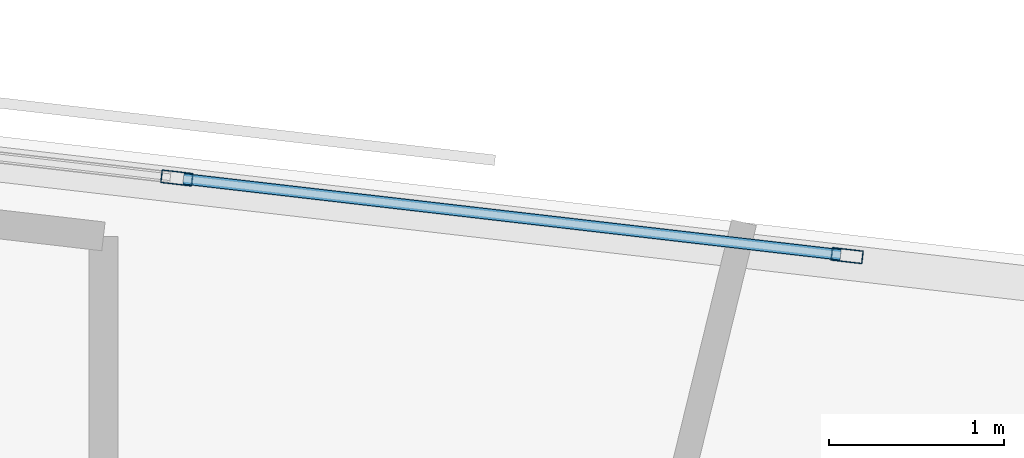
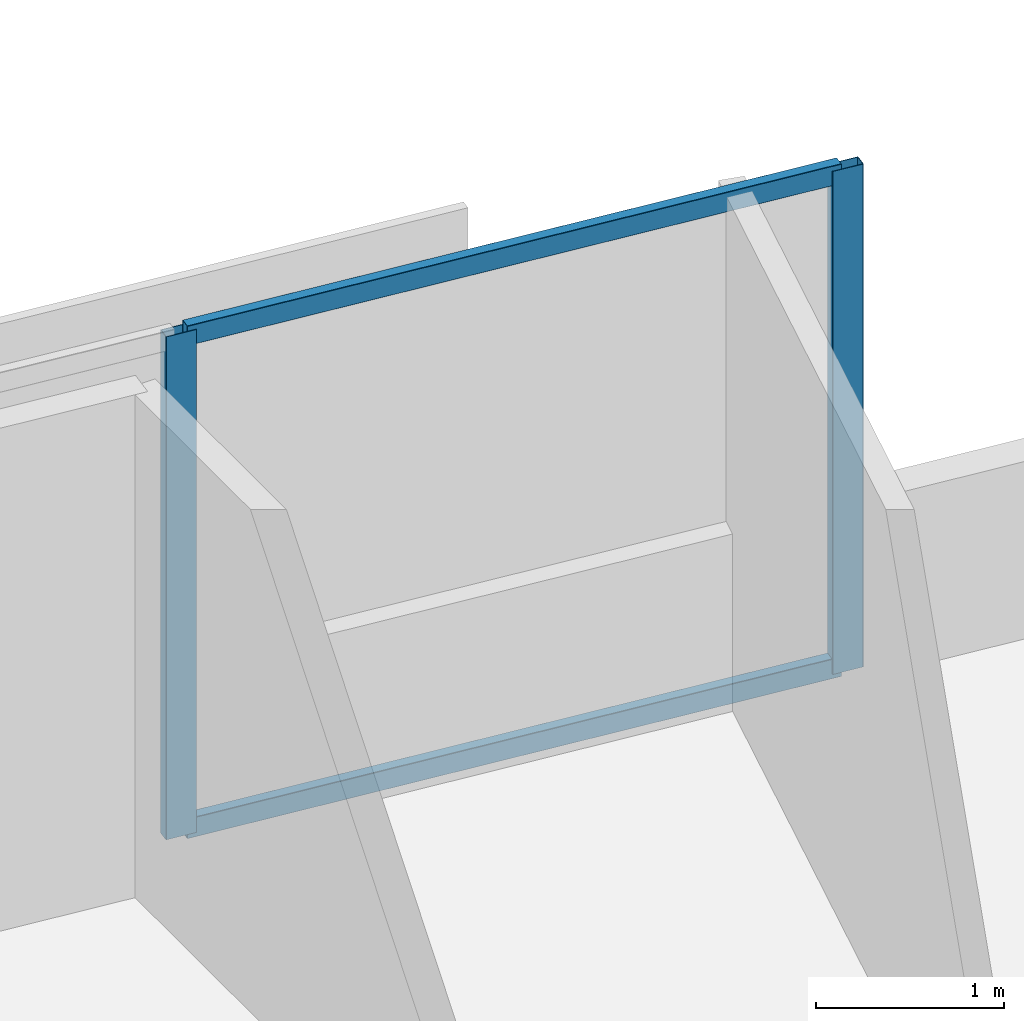
# One storey, part 2 of 14: 4 members, 1 element without a shape of its own.
"""IFC4 building model written with IfcOpenShell, lengths in metres."""

from ifc_helpers import new_model, si_unit, direction, frame, origin, origin_2d, place, context, subcontext, project, spatial, hollow_rectangle, extrude, material, material_profile, profile_set, type_object, element, aggregate, save


model = new_model("IFC4")

# Units and contexts
model_context = context("Model", 3, precision=1e-05, world=origin(), true_north=direction((0.0, 1.0)))
body_context = subcontext(model_context, "Body", "Model", "MODEL_VIEW")
ifc_project = project(units=[si_unit("LENGTHUNIT", "METRE"), si_unit("AREAUNIT", "SQUARE_METRE"), si_unit("VOLUMEUNIT", "CUBIC_METRE"), si_unit("PLANEANGLEUNIT", "RADIAN"), si_unit("MASSUNIT", "GRAM", prefix="KILO")], contexts=[model_context])

# Site, building, storey
site_placement = place(None, origin())
site = spatial("IfcSite", under=ifc_project, at=site_placement, CompositionType="ELEMENT")
building_placement = place(site_placement, origin())
building = spatial("IfcBuilding", under=site, at=building_placement, Name="Narakoshi Arena Tower", CompositionType="ELEMENT")
storey_placement = place(building_placement, frame((0.0, 0.0, 204.419921875)))
storey = spatial("IfcBuildingStorey", under=building, at=storey_placement, Name="L55", CompositionType="ELEMENT", Elevation=204.419921875)

# Curtain wall, members
ifc_material = material(Name="Anodised bronze aluminium 6063-T6", Category="aluminium")
curtain_wall_type = type_object("IfcCurtainWallType", Name="CW-HYP-MID", PredefinedType="NOTDEFINED", material=ifc_material)
curtain_wall_placement = place(storey_placement, origin())
curtain_wall = element("IfcCurtainWall", 1, at=curtain_wall_placement, inside=storey, type_object=curtain_wall_type, Name="L55 Folded Hypotenuse Curtain Wall 2-1", PredefinedType="NOTDEFINED")
ifc_material_profile_1 = material_profile(ifc_material, hollow_rectangle(XDim=0.074951171875, YDim=0.179931640625, WallThickness=0.00390625, OuterFilletRadius=0.0048828125, at=origin_2d()), Name="MUL180x75x4")
ifc_profile_set_1 = profile_set([ifc_material_profile_1], Name="Anodised bronze aluminium 6063-T6")
member_type_1 = type_object("IfcMemberType", Name="MEM-MUL-180", PredefinedType="MULLION", material=ifc_profile_set_1)
member_1_placement = place(storey_placement, frame((83.901611328125, 63.554931640625, 0.0), z_axis=(0.0, 0.0, 1.0), x_axis=(-0.115011296816, -0.993364183774, 0.0)))
member_1 = element("IfcMember", 2, at=member_1_placement, type_object=member_type_1, Name="CW-02 mullion 1", PredefinedType="MULLION", context=body_context, shape_type="SweptSolid", body=[
    extrude(hollow_rectangle(XDim=0.074951171875, YDim=0.179931640625, WallThickness=0.00390625, OuterFilletRadius=0.0048828125, at=origin_2d()), origin(), (0.0, 0.0, 1.0), 3.260009765625),
])
member_2_placement = place(storey_placement, frame((80.06982421875, 63.99853515625, 0.0), z_axis=(0.0, 0.0, 1.0), x_axis=(-0.115011296816, -0.993364183774, 0.0)))
member_2 = element("IfcMember", 3, at=member_2_placement, type_object=member_type_1, Name="CW-02 mullion 2", PredefinedType="MULLION", context=body_context, shape_type="SweptSolid", body=[
    extrude(hollow_rectangle(XDim=0.074951171875, YDim=0.179931640625, WallThickness=0.00390625, OuterFilletRadius=0.0048828125, at=origin_2d()), origin(), (0.0, 0.0, 1.0), 3.260009765625),
])
ifc_material_profile_2 = material_profile(ifc_material, hollow_rectangle(XDim=0.06494140625, YDim=0.1298828125, WallThickness=0.00390625, OuterFilletRadius=0.0048828125, at=origin_2d()), Name="TRN130x65x4")
ifc_profile_set_2 = profile_set([ifc_material_profile_2], Name="Anodised bronze aluminium 6063-T6")
member_type_2 = type_object("IfcMemberType", Name="MEM-TRN-130", PredefinedType="USERDEFINED", material=ifc_profile_set_2)
member_3_placement = place(storey_placement, frame((83.864501953125, 63.55908203125, 0.032470703125), z_axis=(-0.993363915753, 0.115013611713, 0.0), x_axis=(-0.115013611713, -0.993363915753, 0.0)))
member_3 = element("IfcMember", 4, at=member_3_placement, type_object=member_type_2, Name="CW-02 transom 1.1", ObjectType="TRANSOM", PredefinedType="USERDEFINED", context=body_context, shape_type="SweptSolid", body=[
    extrude(hollow_rectangle(XDim=0.06494140625, YDim=0.1298828125, WallThickness=0.00390625, OuterFilletRadius=0.0048828125, at=origin_2d()), origin(), (0.0, 0.0, 1.0), 3.78271484375),
])
member_4_placement = place(storey_placement, frame((83.864501953125, 63.55908203125, 3.2275390625), z_axis=(-0.993363915753, 0.115013611713, 0.0), x_axis=(-0.115013611713, -0.993363915753, 0.0)))
member_4 = element("IfcMember", 5, at=member_4_placement, type_object=member_type_2, Name="CW-02 transom 1.2", ObjectType="TRANSOM", PredefinedType="USERDEFINED", context=body_context, shape_type="SweptSolid", body=[
    extrude(hollow_rectangle(XDim=0.06494140625, YDim=0.1298828125, WallThickness=0.00390625, OuterFilletRadius=0.0048828125, at=origin_2d()), origin(), (0.0, 0.0, 1.0), 3.78271484375),
])
aggregate(curtain_wall, [member_1, member_2, member_3, member_4])

save(model, "model.ifc")
